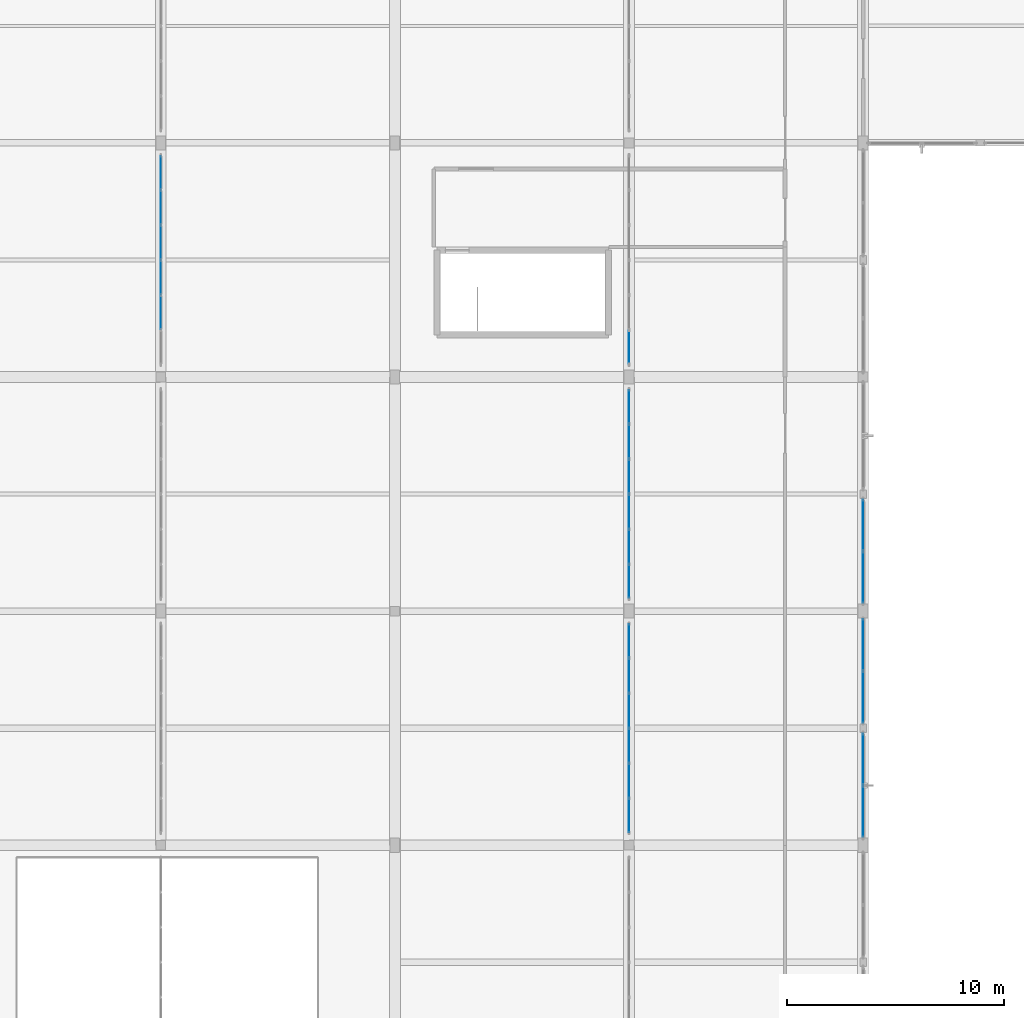
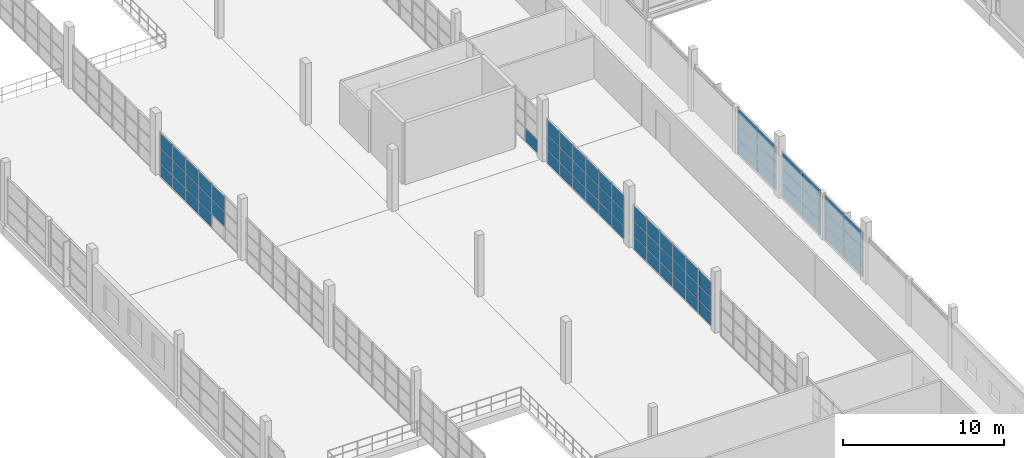
# One storey, part 84 of 142: 69 plates, 7 elements without a shape of their own.
"""IFC4 building model written with IfcOpenShell, lengths in metres."""

from ifc_helpers import new_model, si_unit, direction, frame, origin, origin_2d, place, context, subcontext, project, spatial, rectangle, extrude, material, layer, layer_set, type_object, element, aggregate, save


model = new_model("IFC4")

# Units and contexts
model_context = context("Model", 3, precision=1e-05, world=origin(), true_north=direction((0.0, 1.0)))
body_context = subcontext(model_context, "Body", "Model", "MODEL_VIEW")
ifc_project = project(units=[si_unit("LENGTHUNIT", "METRE"), si_unit("AREAUNIT", "SQUARE_METRE"), si_unit("VOLUMEUNIT", "CUBIC_METRE"), si_unit("PLANEANGLEUNIT", "RADIAN"), si_unit("MASSUNIT", "GRAM", prefix="KILO")], contexts=[model_context])

# Site, building, storey
site_placement = place(None, origin())
site = spatial("IfcSite", under=ifc_project, at=site_placement, CompositionType="ELEMENT")
building_placement = place(site_placement, origin())
building = spatial("IfcBuilding", under=site, at=building_placement, Name="Zwinboog Wholesale Market", CompositionType="ELEMENT")
storey_placement = place(building_placement, frame((0.0, 0.0, 5.39990234375)))
storey = spatial("IfcBuildingStorey", under=building, at=storey_placement, Name="L01", CompositionType="ELEMENT", Elevation=5.39990234375)

# Curtain wall, plates
ifc_material_1 = material(Name="Aluminium thermally broken curtain wall", Category="aluminium")
curtain_wall_type_1 = type_object("IfcCurtainWallType", Name="CWT-HALL-24", PredefinedType="USERDEFINED", material=ifc_material_1)
curtain_wall_1_placement = place(storey_placement, origin())
curtain_wall_1 = element("IfcCurtainWall", 1, at=curtain_wall_1_placement, inside=storey, type_object=curtain_wall_type_1, Name="CW-03 (CW-L01-075)", ObjectType="UNITIZED_CURTAIN_WALL", PredefinedType="USERDEFINED")
ifc_material_2 = material(Name="Double low-e insulated glazing", Category="glass")
ifc_layer_1 = layer(ifc_material_2, 0.031982421875)
ifc_layer_set_1 = layer_set([ifc_layer_1], Name="Double low-e insulated glazing")
plate_type_1 = type_object("IfcPlateType", Name="CWP-IGU-32", PredefinedType="CURTAIN_PANEL", material=ifc_layer_set_1)
plate_1_placement = place(storey_placement, frame((43.199951171875, 33.956298828125, 0.065185546875), z_axis=(0.0, 0.0, 1.0), x_axis=(0.0, 1.0, 0.0)))
plate_1 = element("IfcPlate", 2, at=plate_1_placement, type_object=plate_type_1, Name="CW-03 panel 1.1", PredefinedType="CURTAIN_PANEL", context=body_context, shape_type="SweptSolid", body=[
    extrude(rectangle(XDim=2.342529296875, YDim=0.031982421875, at=origin_2d()), origin(), (0.0, 0.0, 1.0), 1.00244140625),
])
plate_2_placement = place(storey_placement, frame((43.199951171875, 33.956298828125, 1.132568359375), z_axis=(0.0, 0.0, 1.0), x_axis=(0.0, 1.0, 0.0)))
plate_2 = element("IfcPlate", 3, at=plate_2_placement, type_object=plate_type_1, Name="CW-03 panel 1.2", PredefinedType="CURTAIN_PANEL", context=body_context, shape_type="SweptSolid", body=[
    extrude(rectangle(XDim=2.342529296875, YDim=0.031982421875, at=origin_2d()), origin(), (0.0, 0.0, 1.0), 1.0849609375),
])
plate_3_placement = place(storey_placement, frame((43.199951171875, 33.956298828125, 2.282470703125), z_axis=(0.0, 0.0, 1.0), x_axis=(0.0, 1.0, 0.0)))
plate_3 = element("IfcPlate", 4, at=plate_3_placement, type_object=plate_type_1, Name="CW-03 panel 1.3", PredefinedType="CURTAIN_PANEL", context=body_context, shape_type="SweptSolid", body=[
    extrude(rectangle(XDim=2.342529296875, YDim=0.031982421875, at=origin_2d()), origin(), (0.0, 0.0, 1.0), 1.1826171875),
])
plate_4_placement = place(storey_placement, frame((43.199951171875, 36.36376953125, 0.065185546875), z_axis=(0.0, 0.0, 1.0), x_axis=(0.0, 1.0, 0.0)))
plate_4 = element("IfcPlate", 5, at=plate_4_placement, type_object=plate_type_1, Name="CW-03 panel 2.1", PredefinedType="CURTAIN_PANEL", context=body_context, shape_type="SweptSolid", body=[
    extrude(rectangle(XDim=2.342529296875, YDim=0.031982421875, at=origin_2d()), origin(), (0.0, 0.0, 1.0), 1.00244140625),
])
plate_5_placement = place(storey_placement, frame((43.199951171875, 36.36376953125, 1.132568359375), z_axis=(0.0, 0.0, 1.0), x_axis=(0.0, 1.0, 0.0)))
plate_5 = element("IfcPlate", 6, at=plate_5_placement, type_object=plate_type_1, Name="CW-03 panel 2.2", PredefinedType="CURTAIN_PANEL", context=body_context, shape_type="SweptSolid", body=[
    extrude(rectangle(XDim=2.342529296875, YDim=0.031982421875, at=origin_2d()), origin(), (0.0, 0.0, 1.0), 1.0849609375),
])
plate_6_placement = place(storey_placement, frame((43.199951171875, 36.36376953125, 2.282470703125), z_axis=(0.0, 0.0, 1.0), x_axis=(0.0, 1.0, 0.0)))
plate_6 = element("IfcPlate", 7, at=plate_6_placement, type_object=plate_type_1, Name="CW-03 panel 2.3", PredefinedType="CURTAIN_PANEL", context=body_context, shape_type="SweptSolid", body=[
    extrude(rectangle(XDim=2.342529296875, YDim=0.031982421875, at=origin_2d()), origin(), (0.0, 0.0, 1.0), 1.1826171875),
])
aggregate(curtain_wall_1, [plate_1, plate_2, plate_3, plate_4, plate_5, plate_6])

curtain_wall_type_2 = type_object("IfcCurtainWallType", Name="CWT-GAL-16", PredefinedType="USERDEFINED", material=ifc_material_1)
curtain_wall_2_placement = place(storey_placement, origin())
curtain_wall_2 = element("IfcCurtainWall", 8, at=curtain_wall_2_placement, inside=storey, type_object=curtain_wall_type_2, Name="CW-04 (CW-L01-076)", ObjectType="UNITIZED_CURTAIN_WALL", PredefinedType="USERDEFINED")
plate_7_placement = place(storey_placement, frame((43.199951171875, 39.235107421875, 0.06005859375), z_axis=(0.0, 0.0, 1.0), x_axis=(0.0, 1.0, 0.0)))
plate_7 = element("IfcPlate", 9, at=plate_7_placement, type_object=plate_type_1, Name="CW-04 panel 1.1", PredefinedType="CURTAIN_PANEL", context=body_context, shape_type="SweptSolid", body=[
    extrude(rectangle(XDim=2.35009765625, YDim=0.031982421875, at=origin_2d()), origin(), (0.0, 0.0, 1.0), 1.010009765625),
])
plate_8_placement = place(storey_placement, frame((43.199951171875, 39.235107421875, 1.1298828125), z_axis=(0.0, 0.0, 1.0), x_axis=(0.0, 1.0, 0.0)))
plate_8 = element("IfcPlate", 10, at=plate_8_placement, type_object=plate_type_1, Name="CW-04 panel 1.2", PredefinedType="CURTAIN_PANEL", context=body_context, shape_type="SweptSolid", body=[
    extrude(rectangle(XDim=2.35009765625, YDim=0.031982421875, at=origin_2d()), origin(), (0.0, 0.0, 1.0), 1.090087890625),
])
plate_9_placement = place(storey_placement, frame((43.199951171875, 39.235107421875, 2.280029296875), z_axis=(0.0, 0.0, 1.0), x_axis=(0.0, 1.0, 0.0)))
plate_9 = element("IfcPlate", 11, at=plate_9_placement, type_object=plate_type_1, Name="CW-04 panel 1.3", PredefinedType="CURTAIN_PANEL", context=body_context, shape_type="SweptSolid", body=[
    extrude(rectangle(XDim=2.35009765625, YDim=0.031982421875, at=origin_2d()), origin(), (0.0, 0.0, 1.0), 1.18994140625),
])
plate_10_placement = place(storey_placement, frame((43.199951171875, 41.64501953125, 0.06005859375), z_axis=(0.0, 0.0, 1.0), x_axis=(0.0, 1.0, 0.0)))
plate_10 = element("IfcPlate", 12, at=plate_10_placement, type_object=plate_type_1, Name="CW-04 panel 2.1", PredefinedType="CURTAIN_PANEL", context=body_context, shape_type="SweptSolid", body=[
    extrude(rectangle(XDim=2.35009765625, YDim=0.031982421875, at=origin_2d()), origin(), (0.0, 0.0, 1.0), 1.010009765625),
])
plate_11_placement = place(storey_placement, frame((43.199951171875, 41.64501953125, 1.1298828125), z_axis=(0.0, 0.0, 1.0), x_axis=(0.0, 1.0, 0.0)))
plate_11 = element("IfcPlate", 13, at=plate_11_placement, type_object=plate_type_1, Name="CW-04 panel 2.2", PredefinedType="CURTAIN_PANEL", context=body_context, shape_type="SweptSolid", body=[
    extrude(rectangle(XDim=2.35009765625, YDim=0.031982421875, at=origin_2d()), origin(), (0.0, 0.0, 1.0), 1.090087890625),
])
plate_12_placement = place(storey_placement, frame((43.199951171875, 41.64501953125, 2.280029296875), z_axis=(0.0, 0.0, 1.0), x_axis=(0.0, 1.0, 0.0)))
plate_12 = element("IfcPlate", 14, at=plate_12_placement, type_object=plate_type_1, Name="CW-04 panel 2.3", PredefinedType="CURTAIN_PANEL", context=body_context, shape_type="SweptSolid", body=[
    extrude(rectangle(XDim=2.35009765625, YDim=0.031982421875, at=origin_2d()), origin(), (0.0, 0.0, 1.0), 1.18994140625),
])
aggregate(curtain_wall_2, [plate_7, plate_8, plate_9, plate_10, plate_11, plate_12])

curtain_wall_type_3 = type_object("IfcCurtainWallType", Name="CWT-CAFE-22", PredefinedType="USERDEFINED", material=ifc_material_1)
curtain_wall_3_placement = place(storey_placement, origin())
curtain_wall_3 = element("IfcCurtainWall", 15, at=curtain_wall_3_placement, inside=storey, type_object=curtain_wall_type_3, Name="CW-05 (CW-L01-077)", ObjectType="STOREFRONT_GLAZING", PredefinedType="USERDEFINED")
plate_13_placement = place(storey_placement, frame((43.199951171875, 44.75634765625, 0.065185546875), z_axis=(0.0, 0.0, 1.0), x_axis=(0.0, 1.0, 0.0)))
plate_13 = element("IfcPlate", 16, at=plate_13_placement, type_object=plate_type_1, Name="CW-05 panel 1.1", PredefinedType="CURTAIN_PANEL", context=body_context, shape_type="SweptSolid", body=[
    extrude(rectangle(XDim=2.342529296875, YDim=0.031982421875, at=origin_2d()), origin(), (0.0, 0.0, 1.0), 1.00244140625),
])
plate_14_placement = place(storey_placement, frame((43.199951171875, 44.75634765625, 1.132568359375), z_axis=(0.0, 0.0, 1.0), x_axis=(0.0, 1.0, 0.0)))
plate_14 = element("IfcPlate", 17, at=plate_14_placement, type_object=plate_type_1, Name="CW-05 panel 1.2", PredefinedType="CURTAIN_PANEL", context=body_context, shape_type="SweptSolid", body=[
    extrude(rectangle(XDim=2.342529296875, YDim=0.031982421875, at=origin_2d()), origin(), (0.0, 0.0, 1.0), 1.0849609375),
])
plate_15_placement = place(storey_placement, frame((43.199951171875, 44.75634765625, 2.282470703125), z_axis=(0.0, 0.0, 1.0), x_axis=(0.0, 1.0, 0.0)))
plate_15 = element("IfcPlate", 18, at=plate_15_placement, type_object=plate_type_1, Name="CW-05 panel 1.3", PredefinedType="CURTAIN_PANEL", context=body_context, shape_type="SweptSolid", body=[
    extrude(rectangle(XDim=2.342529296875, YDim=0.031982421875, at=origin_2d()), origin(), (0.0, 0.0, 1.0), 1.1826171875),
])
plate_16_placement = place(storey_placement, frame((43.199951171875, 47.163818359375, 0.065185546875), z_axis=(0.0, 0.0, 1.0), x_axis=(0.0, 1.0, 0.0)))
plate_16 = element("IfcPlate", 19, at=plate_16_placement, type_object=plate_type_1, Name="CW-05 panel 2.1", PredefinedType="CURTAIN_PANEL", context=body_context, shape_type="SweptSolid", body=[
    extrude(rectangle(XDim=2.342529296875, YDim=0.031982421875, at=origin_2d()), origin(), (0.0, 0.0, 1.0), 1.00244140625),
])
plate_17_placement = place(storey_placement, frame((43.199951171875, 47.163818359375, 1.132568359375), z_axis=(0.0, 0.0, 1.0), x_axis=(0.0, 1.0, 0.0)))
plate_17 = element("IfcPlate", 20, at=plate_17_placement, type_object=plate_type_1, Name="CW-05 panel 2.2", PredefinedType="CURTAIN_PANEL", context=body_context, shape_type="SweptSolid", body=[
    extrude(rectangle(XDim=2.342529296875, YDim=0.031982421875, at=origin_2d()), origin(), (0.0, 0.0, 1.0), 1.0849609375),
])
plate_18_placement = place(storey_placement, frame((43.199951171875, 47.163818359375, 2.282470703125), z_axis=(0.0, 0.0, 1.0), x_axis=(0.0, 1.0, 0.0)))
plate_18 = element("IfcPlate", 21, at=plate_18_placement, type_object=plate_type_1, Name="CW-05 panel 2.3", PredefinedType="CURTAIN_PANEL", context=body_context, shape_type="SweptSolid", body=[
    extrude(rectangle(XDim=2.342529296875, YDim=0.031982421875, at=origin_2d()), origin(), (0.0, 0.0, 1.0), 1.1826171875),
])
aggregate(curtain_wall_3, [plate_13, plate_14, plate_15, plate_16, plate_17, plate_18])

curtain_wall_type_4 = type_object("IfcCurtainWallType", Name="CWT-INT-STALL", PredefinedType="USERDEFINED", material=ifc_material_1)
curtain_wall_4_placement = place(storey_placement, origin())
curtain_wall_4 = element("IfcCurtainWall", 22, at=curtain_wall_4_placement, inside=storey, type_object=curtain_wall_type_4, Name="CW-07 (CW-STL-260)", ObjectType="STOREFRONT_GLAZING", PredefinedType="USERDEFINED")
ifc_material_3 = material(Name="Tempered laminated market stall glazing", Category="glass")
ifc_layer_2 = layer(ifc_material_3, 0.01611328125)
ifc_layer_set_2 = layer_set([ifc_layer_2], Name="Tempered laminated market stall glazing")
plate_type_2 = type_object("IfcPlateType", Name="CWP-INT-16", PredefinedType="CURTAIN_PANEL", material=ifc_layer_set_2)
plate_19_placement = place(storey_placement, frame((10.800048828125, 56.97509765625, 1.080078125), z_axis=(0.0, 0.0, 1.0), x_axis=(0.0, 1.0, 0.0)))
plate_19 = element("IfcPlate", 23, at=plate_19_placement, type_object=plate_type_2, Name="CW-07 panel 2.2", PredefinedType="CURTAIN_PANEL", context=body_context, shape_type="SweptSolid", body=[
    extrude(rectangle(XDim=1.556640625, YDim=0.01611328125, at=origin_2d()), origin(), (0.0, 0.0, 1.0), 1.090087890625),
])
plate_20_placement = place(storey_placement, frame((10.800048828125, 56.97509765625, 2.22998046875), z_axis=(0.0, 0.0, 1.0), x_axis=(0.0, 1.0, 0.0)))
plate_20 = element("IfcPlate", 24, at=plate_20_placement, type_object=plate_type_2, Name="CW-07 panel 2.3", PredefinedType="CURTAIN_PANEL", context=body_context, shape_type="SweptSolid", body=[
    extrude(rectangle(XDim=1.556640625, YDim=0.01611328125, at=origin_2d()), origin(), (0.0, 0.0, 1.0), 1.110107421875),
])
plate_21_placement = place(storey_placement, frame((10.800048828125, 58.591552734375, 0.06005859375), z_axis=(0.0, 0.0, 1.0), x_axis=(0.0, 1.0, 0.0)))
plate_21 = element("IfcPlate", 25, at=plate_21_placement, type_object=plate_type_2, Name="CW-07 panel 3.1", PredefinedType="CURTAIN_PANEL", context=body_context, shape_type="SweptSolid", body=[
    extrude(rectangle(XDim=1.556640625, YDim=0.01611328125, at=origin_2d()), origin(), (0.0, 0.0, 1.0), 0.9599609375),
])
plate_22_placement = place(storey_placement, frame((10.800048828125, 58.591552734375, 1.080078125), z_axis=(0.0, 0.0, 1.0), x_axis=(0.0, 1.0, 0.0)))
plate_22 = element("IfcPlate", 26, at=plate_22_placement, type_object=plate_type_2, Name="CW-07 panel 3.2", PredefinedType="CURTAIN_PANEL", context=body_context, shape_type="SweptSolid", body=[
    extrude(rectangle(XDim=1.556640625, YDim=0.01611328125, at=origin_2d()), origin(), (0.0, 0.0, 1.0), 1.090087890625),
])
plate_23_placement = place(storey_placement, frame((10.800048828125, 58.591552734375, 2.22998046875), z_axis=(0.0, 0.0, 1.0), x_axis=(0.0, 1.0, 0.0)))
plate_23 = element("IfcPlate", 27, at=plate_23_placement, type_object=plate_type_2, Name="CW-07 panel 3.3", PredefinedType="CURTAIN_PANEL", context=body_context, shape_type="SweptSolid", body=[
    extrude(rectangle(XDim=1.556640625, YDim=0.01611328125, at=origin_2d()), origin(), (0.0, 0.0, 1.0), 1.110107421875),
])
plate_24_placement = place(storey_placement, frame((10.800048828125, 60.208251953125, 0.06005859375), z_axis=(0.0, 0.0, 1.0), x_axis=(0.0, 1.0, 0.0)))
plate_24 = element("IfcPlate", 28, at=plate_24_placement, type_object=plate_type_2, Name="CW-07 panel 4.1", PredefinedType="CURTAIN_PANEL", context=body_context, shape_type="SweptSolid", body=[
    extrude(rectangle(XDim=1.556640625, YDim=0.01611328125, at=origin_2d()), origin(), (0.0, 0.0, 1.0), 0.9599609375),
])
plate_25_placement = place(storey_placement, frame((10.800048828125, 60.208251953125, 1.080078125), z_axis=(0.0, 0.0, 1.0), x_axis=(0.0, 1.0, 0.0)))
plate_25 = element("IfcPlate", 29, at=plate_25_placement, type_object=plate_type_2, Name="CW-07 panel 4.2", PredefinedType="CURTAIN_PANEL", context=body_context, shape_type="SweptSolid", body=[
    extrude(rectangle(XDim=1.556640625, YDim=0.01611328125, at=origin_2d()), origin(), (0.0, 0.0, 1.0), 1.090087890625),
])
plate_26_placement = place(storey_placement, frame((10.800048828125, 60.208251953125, 2.22998046875), z_axis=(0.0, 0.0, 1.0), x_axis=(0.0, 1.0, 0.0)))
plate_26 = element("IfcPlate", 30, at=plate_26_placement, type_object=plate_type_2, Name="CW-07 panel 4.3", PredefinedType="CURTAIN_PANEL", context=body_context, shape_type="SweptSolid", body=[
    extrude(rectangle(XDim=1.556640625, YDim=0.01611328125, at=origin_2d()), origin(), (0.0, 0.0, 1.0), 1.110107421875),
])
plate_27_placement = place(storey_placement, frame((10.800048828125, 61.824951171875, 0.06005859375), z_axis=(0.0, 0.0, 1.0), x_axis=(0.0, 1.0, 0.0)))
plate_27 = element("IfcPlate", 31, at=plate_27_placement, type_object=plate_type_2, Name="CW-07 panel 5.1", PredefinedType="CURTAIN_PANEL", context=body_context, shape_type="SweptSolid", body=[
    extrude(rectangle(XDim=1.556640625, YDim=0.01611328125, at=origin_2d()), origin(), (0.0, 0.0, 1.0), 0.9599609375),
])
plate_28_placement = place(storey_placement, frame((10.800048828125, 61.824951171875, 1.080078125), z_axis=(0.0, 0.0, 1.0), x_axis=(0.0, 1.0, 0.0)))
plate_28 = element("IfcPlate", 32, at=plate_28_placement, type_object=plate_type_2, Name="CW-07 panel 5.2", PredefinedType="CURTAIN_PANEL", context=body_context, shape_type="SweptSolid", body=[
    extrude(rectangle(XDim=1.556640625, YDim=0.01611328125, at=origin_2d()), origin(), (0.0, 0.0, 1.0), 1.090087890625),
])
plate_29_placement = place(storey_placement, frame((10.800048828125, 61.824951171875, 2.22998046875), z_axis=(0.0, 0.0, 1.0), x_axis=(0.0, 1.0, 0.0)))
plate_29 = element("IfcPlate", 33, at=plate_29_placement, type_object=plate_type_2, Name="CW-07 panel 5.3", PredefinedType="CURTAIN_PANEL", context=body_context, shape_type="SweptSolid", body=[
    extrude(rectangle(XDim=1.556640625, YDim=0.01611328125, at=origin_2d()), origin(), (0.0, 0.0, 1.0), 1.110107421875),
])
plate_30_placement = place(storey_placement, frame((10.800048828125, 63.4267578125, 0.06005859375), z_axis=(0.0, 0.0, 1.0), x_axis=(0.0, 1.0, 0.0)))
plate_30 = element("IfcPlate", 34, at=plate_30_placement, type_object=plate_type_2, Name="CW-07 panel 6.1", PredefinedType="CURTAIN_PANEL", context=body_context, shape_type="SweptSolid", body=[
    extrude(rectangle(XDim=1.526611328125, YDim=0.01611328125, at=origin_2d()), origin(), (0.0, 0.0, 1.0), 0.9599609375),
])
plate_31_placement = place(storey_placement, frame((10.800048828125, 63.4267578125, 1.080078125), z_axis=(0.0, 0.0, 1.0), x_axis=(0.0, 1.0, 0.0)))
plate_31 = element("IfcPlate", 35, at=plate_31_placement, type_object=plate_type_2, Name="CW-07 panel 6.2", PredefinedType="CURTAIN_PANEL", context=body_context, shape_type="SweptSolid", body=[
    extrude(rectangle(XDim=1.526611328125, YDim=0.01611328125, at=origin_2d()), origin(), (0.0, 0.0, 1.0), 1.090087890625),
])
plate_32_placement = place(storey_placement, frame((10.800048828125, 63.4267578125, 2.22998046875), z_axis=(0.0, 0.0, 1.0), x_axis=(0.0, 1.0, 0.0)))
plate_32 = element("IfcPlate", 36, at=plate_32_placement, type_object=plate_type_2, Name="CW-07 panel 6.3", PredefinedType="CURTAIN_PANEL", context=body_context, shape_type="SweptSolid", body=[
    extrude(rectangle(XDim=1.526611328125, YDim=0.01611328125, at=origin_2d()), origin(), (0.0, 0.0, 1.0), 1.110107421875),
])
aggregate(curtain_wall_4, [plate_19, plate_20, plate_21, plate_22, plate_23, plate_24, plate_25, plate_26, plate_27, plate_28, plate_29, plate_30, plate_31, plate_32])

curtain_wall_5_placement = place(storey_placement, origin())
curtain_wall_5 = element("IfcCurtainWall", 37, at=curtain_wall_5_placement, inside=storey, type_object=curtain_wall_type_4, Name="CW-07 (CW-STL-266)", ObjectType="STOREFRONT_GLAZING", PredefinedType="USERDEFINED")
plate_33_placement = place(storey_placement, frame((32.39990234375, 33.7734375, 0.06005859375), z_axis=(0.0, 0.0, 1.0), x_axis=(0.0, 1.0, 0.0)))
plate_33 = element("IfcPlate", 38, at=plate_33_placement, type_object=plate_type_2, Name="CW-07 panel 1.1", PredefinedType="CURTAIN_PANEL", context=body_context, shape_type="SweptSolid", body=[
    extrude(rectangle(XDim=1.526611328125, YDim=0.01611328125, at=origin_2d()), origin(), (0.0, 0.0, 1.0), 0.9599609375),
])
plate_34_placement = place(storey_placement, frame((32.39990234375, 33.7734375, 1.080078125), z_axis=(0.0, 0.0, 1.0), x_axis=(0.0, 1.0, 0.0)))
plate_34 = element("IfcPlate", 39, at=plate_34_placement, type_object=plate_type_2, Name="CW-07 panel 1.2", PredefinedType="CURTAIN_PANEL", context=body_context, shape_type="SweptSolid", body=[
    extrude(rectangle(XDim=1.526611328125, YDim=0.01611328125, at=origin_2d()), origin(), (0.0, 0.0, 1.0), 1.090087890625),
])
plate_35_placement = place(storey_placement, frame((32.39990234375, 33.7734375, 2.22998046875), z_axis=(0.0, 0.0, 1.0), x_axis=(0.0, 1.0, 0.0)))
plate_35 = element("IfcPlate", 40, at=plate_35_placement, type_object=plate_type_2, Name="CW-07 panel 1.3", PredefinedType="CURTAIN_PANEL", context=body_context, shape_type="SweptSolid", body=[
    extrude(rectangle(XDim=1.526611328125, YDim=0.01611328125, at=origin_2d()), origin(), (0.0, 0.0, 1.0), 1.110107421875),
])
plate_36_placement = place(storey_placement, frame((32.39990234375, 35.375, 0.06005859375), z_axis=(0.0, 0.0, 1.0), x_axis=(0.0, 1.0, 0.0)))
plate_36 = element("IfcPlate", 41, at=plate_36_placement, type_object=plate_type_2, Name="CW-07 panel 2.1", PredefinedType="CURTAIN_PANEL", context=body_context, shape_type="SweptSolid", body=[
    extrude(rectangle(XDim=1.556640625, YDim=0.01611328125, at=origin_2d()), origin(), (0.0, 0.0, 1.0), 0.9599609375),
])
plate_37_placement = place(storey_placement, frame((32.39990234375, 35.375, 1.080078125), z_axis=(0.0, 0.0, 1.0), x_axis=(0.0, 1.0, 0.0)))
plate_37 = element("IfcPlate", 42, at=plate_37_placement, type_object=plate_type_2, Name="CW-07 panel 2.2", PredefinedType="CURTAIN_PANEL", context=body_context, shape_type="SweptSolid", body=[
    extrude(rectangle(XDim=1.556640625, YDim=0.01611328125, at=origin_2d()), origin(), (0.0, 0.0, 1.0), 1.090087890625),
])
plate_38_placement = place(storey_placement, frame((32.39990234375, 35.375, 2.22998046875), z_axis=(0.0, 0.0, 1.0), x_axis=(0.0, 1.0, 0.0)))
plate_38 = element("IfcPlate", 43, at=plate_38_placement, type_object=plate_type_2, Name="CW-07 panel 2.3", PredefinedType="CURTAIN_PANEL", context=body_context, shape_type="SweptSolid", body=[
    extrude(rectangle(XDim=1.556640625, YDim=0.01611328125, at=origin_2d()), origin(), (0.0, 0.0, 1.0), 1.110107421875),
])
plate_39_placement = place(storey_placement, frame((32.39990234375, 36.99169921875, 0.06005859375), z_axis=(0.0, 0.0, 1.0), x_axis=(0.0, 1.0, 0.0)))
plate_39 = element("IfcPlate", 44, at=plate_39_placement, type_object=plate_type_2, Name="CW-07 panel 3.1", PredefinedType="CURTAIN_PANEL", context=body_context, shape_type="SweptSolid", body=[
    extrude(rectangle(XDim=1.556640625, YDim=0.01611328125, at=origin_2d()), origin(), (0.0, 0.0, 1.0), 0.9599609375),
])
plate_40_placement = place(storey_placement, frame((32.39990234375, 36.99169921875, 1.080078125), z_axis=(0.0, 0.0, 1.0), x_axis=(0.0, 1.0, 0.0)))
plate_40 = element("IfcPlate", 45, at=plate_40_placement, type_object=plate_type_2, Name="CW-07 panel 3.2", PredefinedType="CURTAIN_PANEL", context=body_context, shape_type="SweptSolid", body=[
    extrude(rectangle(XDim=1.556640625, YDim=0.01611328125, at=origin_2d()), origin(), (0.0, 0.0, 1.0), 1.090087890625),
])
plate_41_placement = place(storey_placement, frame((32.39990234375, 36.99169921875, 2.22998046875), z_axis=(0.0, 0.0, 1.0), x_axis=(0.0, 1.0, 0.0)))
plate_41 = element("IfcPlate", 46, at=plate_41_placement, type_object=plate_type_2, Name="CW-07 panel 3.3", PredefinedType="CURTAIN_PANEL", context=body_context, shape_type="SweptSolid", body=[
    extrude(rectangle(XDim=1.556640625, YDim=0.01611328125, at=origin_2d()), origin(), (0.0, 0.0, 1.0), 1.110107421875),
])
plate_42_placement = place(storey_placement, frame((32.39990234375, 38.6083984375, 0.06005859375), z_axis=(0.0, 0.0, 1.0), x_axis=(0.0, 1.0, 0.0)))
plate_42 = element("IfcPlate", 47, at=plate_42_placement, type_object=plate_type_2, Name="CW-07 panel 4.1", PredefinedType="CURTAIN_PANEL", context=body_context, shape_type="SweptSolid", body=[
    extrude(rectangle(XDim=1.556640625, YDim=0.01611328125, at=origin_2d()), origin(), (0.0, 0.0, 1.0), 0.9599609375),
])
plate_43_placement = place(storey_placement, frame((32.39990234375, 38.6083984375, 1.080078125), z_axis=(0.0, 0.0, 1.0), x_axis=(0.0, 1.0, 0.0)))
plate_43 = element("IfcPlate", 48, at=plate_43_placement, type_object=plate_type_2, Name="CW-07 panel 4.2", PredefinedType="CURTAIN_PANEL", context=body_context, shape_type="SweptSolid", body=[
    extrude(rectangle(XDim=1.556640625, YDim=0.01611328125, at=origin_2d()), origin(), (0.0, 0.0, 1.0), 1.090087890625),
])
plate_44_placement = place(storey_placement, frame((32.39990234375, 38.6083984375, 2.22998046875), z_axis=(0.0, 0.0, 1.0), x_axis=(0.0, 1.0, 0.0)))
plate_44 = element("IfcPlate", 49, at=plate_44_placement, type_object=plate_type_2, Name="CW-07 panel 4.3", PredefinedType="CURTAIN_PANEL", context=body_context, shape_type="SweptSolid", body=[
    extrude(rectangle(XDim=1.556640625, YDim=0.01611328125, at=origin_2d()), origin(), (0.0, 0.0, 1.0), 1.110107421875),
])
plate_45_placement = place(storey_placement, frame((32.39990234375, 40.22509765625, 0.06005859375), z_axis=(0.0, 0.0, 1.0), x_axis=(0.0, 1.0, 0.0)))
plate_45 = element("IfcPlate", 50, at=plate_45_placement, type_object=plate_type_2, Name="CW-07 panel 5.1", PredefinedType="CURTAIN_PANEL", context=body_context, shape_type="SweptSolid", body=[
    extrude(rectangle(XDim=1.556640625, YDim=0.01611328125, at=origin_2d()), origin(), (0.0, 0.0, 1.0), 0.9599609375),
])
plate_46_placement = place(storey_placement, frame((32.39990234375, 40.22509765625, 1.080078125), z_axis=(0.0, 0.0, 1.0), x_axis=(0.0, 1.0, 0.0)))
plate_46 = element("IfcPlate", 51, at=plate_46_placement, type_object=plate_type_2, Name="CW-07 panel 5.2", PredefinedType="CURTAIN_PANEL", context=body_context, shape_type="SweptSolid", body=[
    extrude(rectangle(XDim=1.556640625, YDim=0.01611328125, at=origin_2d()), origin(), (0.0, 0.0, 1.0), 1.090087890625),
])
plate_47_placement = place(storey_placement, frame((32.39990234375, 40.22509765625, 2.22998046875), z_axis=(0.0, 0.0, 1.0), x_axis=(0.0, 1.0, 0.0)))
plate_47 = element("IfcPlate", 52, at=plate_47_placement, type_object=plate_type_2, Name="CW-07 panel 5.3", PredefinedType="CURTAIN_PANEL", context=body_context, shape_type="SweptSolid", body=[
    extrude(rectangle(XDim=1.556640625, YDim=0.01611328125, at=origin_2d()), origin(), (0.0, 0.0, 1.0), 1.110107421875),
])
plate_48_placement = place(storey_placement, frame((32.39990234375, 41.82666015625, 0.06005859375), z_axis=(0.0, 0.0, 1.0), x_axis=(0.0, 1.0, 0.0)))
plate_48 = element("IfcPlate", 53, at=plate_48_placement, type_object=plate_type_2, Name="CW-07 panel 6.1", PredefinedType="CURTAIN_PANEL", context=body_context, shape_type="SweptSolid", body=[
    extrude(rectangle(XDim=1.526611328125, YDim=0.01611328125, at=origin_2d()), origin(), (0.0, 0.0, 1.0), 0.9599609375),
])
plate_49_placement = place(storey_placement, frame((32.39990234375, 41.82666015625, 1.080078125), z_axis=(0.0, 0.0, 1.0), x_axis=(0.0, 1.0, 0.0)))
plate_49 = element("IfcPlate", 54, at=plate_49_placement, type_object=plate_type_2, Name="CW-07 panel 6.2", PredefinedType="CURTAIN_PANEL", context=body_context, shape_type="SweptSolid", body=[
    extrude(rectangle(XDim=1.526611328125, YDim=0.01611328125, at=origin_2d()), origin(), (0.0, 0.0, 1.0), 1.090087890625),
])
plate_50_placement = place(storey_placement, frame((32.39990234375, 41.82666015625, 2.22998046875), z_axis=(0.0, 0.0, 1.0), x_axis=(0.0, 1.0, 0.0)))
plate_50 = element("IfcPlate", 55, at=plate_50_placement, type_object=plate_type_2, Name="CW-07 panel 6.3", PredefinedType="CURTAIN_PANEL", context=body_context, shape_type="SweptSolid", body=[
    extrude(rectangle(XDim=1.526611328125, YDim=0.01611328125, at=origin_2d()), origin(), (0.0, 0.0, 1.0), 1.110107421875),
])
aggregate(curtain_wall_5, [plate_33, plate_34, plate_35, plate_36, plate_37, plate_38, plate_39, plate_40, plate_41, plate_42, plate_43, plate_44, plate_45, plate_46, plate_47, plate_48, plate_49, plate_50])

curtain_wall_6_placement = place(storey_placement, origin())
curtain_wall_6 = element("IfcCurtainWall", 56, at=curtain_wall_6_placement, inside=storey, type_object=curtain_wall_type_4, Name="CW-07 (CW-STL-267)", ObjectType="STOREFRONT_GLAZING", PredefinedType="USERDEFINED")
plate_51_placement = place(storey_placement, frame((32.39990234375, 44.5732421875, 0.06005859375), z_axis=(0.0, 0.0, 1.0), x_axis=(0.0, 1.0, 0.0)))
plate_51 = element("IfcPlate", 57, at=plate_51_placement, type_object=plate_type_2, Name="CW-07 panel 1.1", PredefinedType="CURTAIN_PANEL", context=body_context, shape_type="SweptSolid", body=[
    extrude(rectangle(XDim=1.526611328125, YDim=0.01611328125, at=origin_2d()), origin(), (0.0, 0.0, 1.0), 0.9599609375),
])
plate_52_placement = place(storey_placement, frame((32.39990234375, 44.5732421875, 1.080078125), z_axis=(0.0, 0.0, 1.0), x_axis=(0.0, 1.0, 0.0)))
plate_52 = element("IfcPlate", 58, at=plate_52_placement, type_object=plate_type_2, Name="CW-07 panel 1.2", PredefinedType="CURTAIN_PANEL", context=body_context, shape_type="SweptSolid", body=[
    extrude(rectangle(XDim=1.526611328125, YDim=0.01611328125, at=origin_2d()), origin(), (0.0, 0.0, 1.0), 1.090087890625),
])
plate_53_placement = place(storey_placement, frame((32.39990234375, 44.5732421875, 2.22998046875), z_axis=(0.0, 0.0, 1.0), x_axis=(0.0, 1.0, 0.0)))
plate_53 = element("IfcPlate", 59, at=plate_53_placement, type_object=plate_type_2, Name="CW-07 panel 1.3", PredefinedType="CURTAIN_PANEL", context=body_context, shape_type="SweptSolid", body=[
    extrude(rectangle(XDim=1.526611328125, YDim=0.01611328125, at=origin_2d()), origin(), (0.0, 0.0, 1.0), 1.110107421875),
])
plate_54_placement = place(storey_placement, frame((32.39990234375, 46.175048828125, 0.06005859375), z_axis=(0.0, 0.0, 1.0), x_axis=(0.0, 1.0, 0.0)))
plate_54 = element("IfcPlate", 60, at=plate_54_placement, type_object=plate_type_2, Name="CW-07 panel 2.1", PredefinedType="CURTAIN_PANEL", context=body_context, shape_type="SweptSolid", body=[
    extrude(rectangle(XDim=1.556640625, YDim=0.01611328125, at=origin_2d()), origin(), (0.0, 0.0, 1.0), 0.9599609375),
])
plate_55_placement = place(storey_placement, frame((32.39990234375, 46.175048828125, 1.080078125), z_axis=(0.0, 0.0, 1.0), x_axis=(0.0, 1.0, 0.0)))
plate_55 = element("IfcPlate", 61, at=plate_55_placement, type_object=plate_type_2, Name="CW-07 panel 2.2", PredefinedType="CURTAIN_PANEL", context=body_context, shape_type="SweptSolid", body=[
    extrude(rectangle(XDim=1.556640625, YDim=0.01611328125, at=origin_2d()), origin(), (0.0, 0.0, 1.0), 1.090087890625),
])
plate_56_placement = place(storey_placement, frame((32.39990234375, 46.175048828125, 2.22998046875), z_axis=(0.0, 0.0, 1.0), x_axis=(0.0, 1.0, 0.0)))
plate_56 = element("IfcPlate", 62, at=plate_56_placement, type_object=plate_type_2, Name="CW-07 panel 2.3", PredefinedType="CURTAIN_PANEL", context=body_context, shape_type="SweptSolid", body=[
    extrude(rectangle(XDim=1.556640625, YDim=0.01611328125, at=origin_2d()), origin(), (0.0, 0.0, 1.0), 1.110107421875),
])
plate_57_placement = place(storey_placement, frame((32.39990234375, 47.791748046875, 0.06005859375), z_axis=(0.0, 0.0, 1.0), x_axis=(0.0, 1.0, 0.0)))
plate_57 = element("IfcPlate", 63, at=plate_57_placement, type_object=plate_type_2, Name="CW-07 panel 3.1", PredefinedType="CURTAIN_PANEL", context=body_context, shape_type="SweptSolid", body=[
    extrude(rectangle(XDim=1.556640625, YDim=0.01611328125, at=origin_2d()), origin(), (0.0, 0.0, 1.0), 0.9599609375),
])
plate_58_placement = place(storey_placement, frame((32.39990234375, 47.791748046875, 1.080078125), z_axis=(0.0, 0.0, 1.0), x_axis=(0.0, 1.0, 0.0)))
plate_58 = element("IfcPlate", 64, at=plate_58_placement, type_object=plate_type_2, Name="CW-07 panel 3.2", PredefinedType="CURTAIN_PANEL", context=body_context, shape_type="SweptSolid", body=[
    extrude(rectangle(XDim=1.556640625, YDim=0.01611328125, at=origin_2d()), origin(), (0.0, 0.0, 1.0), 1.090087890625),
])
plate_59_placement = place(storey_placement, frame((32.39990234375, 47.791748046875, 2.22998046875), z_axis=(0.0, 0.0, 1.0), x_axis=(0.0, 1.0, 0.0)))
plate_59 = element("IfcPlate", 65, at=plate_59_placement, type_object=plate_type_2, Name="CW-07 panel 3.3", PredefinedType="CURTAIN_PANEL", context=body_context, shape_type="SweptSolid", body=[
    extrude(rectangle(XDim=1.556640625, YDim=0.01611328125, at=origin_2d()), origin(), (0.0, 0.0, 1.0), 1.110107421875),
])
plate_60_placement = place(storey_placement, frame((32.39990234375, 49.408447265625, 0.06005859375), z_axis=(0.0, 0.0, 1.0), x_axis=(0.0, 1.0, 0.0)))
plate_60 = element("IfcPlate", 66, at=plate_60_placement, type_object=plate_type_2, Name="CW-07 panel 4.1", PredefinedType="CURTAIN_PANEL", context=body_context, shape_type="SweptSolid", body=[
    extrude(rectangle(XDim=1.556640625, YDim=0.01611328125, at=origin_2d()), origin(), (0.0, 0.0, 1.0), 0.9599609375),
])
plate_61_placement = place(storey_placement, frame((32.39990234375, 49.408447265625, 1.080078125), z_axis=(0.0, 0.0, 1.0), x_axis=(0.0, 1.0, 0.0)))
plate_61 = element("IfcPlate", 67, at=plate_61_placement, type_object=plate_type_2, Name="CW-07 panel 4.2", PredefinedType="CURTAIN_PANEL", context=body_context, shape_type="SweptSolid", body=[
    extrude(rectangle(XDim=1.556640625, YDim=0.01611328125, at=origin_2d()), origin(), (0.0, 0.0, 1.0), 1.090087890625),
])
plate_62_placement = place(storey_placement, frame((32.39990234375, 49.408447265625, 2.22998046875), z_axis=(0.0, 0.0, 1.0), x_axis=(0.0, 1.0, 0.0)))
plate_62 = element("IfcPlate", 68, at=plate_62_placement, type_object=plate_type_2, Name="CW-07 panel 4.3", PredefinedType="CURTAIN_PANEL", context=body_context, shape_type="SweptSolid", body=[
    extrude(rectangle(XDim=1.556640625, YDim=0.01611328125, at=origin_2d()), origin(), (0.0, 0.0, 1.0), 1.110107421875),
])
plate_63_placement = place(storey_placement, frame((32.39990234375, 51.02490234375, 0.06005859375), z_axis=(0.0, 0.0, 1.0), x_axis=(0.0, 1.0, 0.0)))
plate_63 = element("IfcPlate", 69, at=plate_63_placement, type_object=plate_type_2, Name="CW-07 panel 5.1", PredefinedType="CURTAIN_PANEL", context=body_context, shape_type="SweptSolid", body=[
    extrude(rectangle(XDim=1.556640625, YDim=0.01611328125, at=origin_2d()), origin(), (0.0, 0.0, 1.0), 0.9599609375),
])
plate_64_placement = place(storey_placement, frame((32.39990234375, 51.02490234375, 1.080078125), z_axis=(0.0, 0.0, 1.0), x_axis=(0.0, 1.0, 0.0)))
plate_64 = element("IfcPlate", 70, at=plate_64_placement, type_object=plate_type_2, Name="CW-07 panel 5.2", PredefinedType="CURTAIN_PANEL", context=body_context, shape_type="SweptSolid", body=[
    extrude(rectangle(XDim=1.556640625, YDim=0.01611328125, at=origin_2d()), origin(), (0.0, 0.0, 1.0), 1.090087890625),
])
plate_65_placement = place(storey_placement, frame((32.39990234375, 51.02490234375, 2.22998046875), z_axis=(0.0, 0.0, 1.0), x_axis=(0.0, 1.0, 0.0)))
plate_65 = element("IfcPlate", 71, at=plate_65_placement, type_object=plate_type_2, Name="CW-07 panel 5.3", PredefinedType="CURTAIN_PANEL", context=body_context, shape_type="SweptSolid", body=[
    extrude(rectangle(XDim=1.556640625, YDim=0.01611328125, at=origin_2d()), origin(), (0.0, 0.0, 1.0), 1.110107421875),
])
plate_66_placement = place(storey_placement, frame((32.39990234375, 52.626708984375, 0.06005859375), z_axis=(0.0, 0.0, 1.0), x_axis=(0.0, 1.0, 0.0)))
plate_66 = element("IfcPlate", 72, at=plate_66_placement, type_object=plate_type_2, Name="CW-07 panel 6.1", PredefinedType="CURTAIN_PANEL", context=body_context, shape_type="SweptSolid", body=[
    extrude(rectangle(XDim=1.526611328125, YDim=0.01611328125, at=origin_2d()), origin(), (0.0, 0.0, 1.0), 0.9599609375),
])
plate_67_placement = place(storey_placement, frame((32.39990234375, 52.626708984375, 1.080078125), z_axis=(0.0, 0.0, 1.0), x_axis=(0.0, 1.0, 0.0)))
plate_67 = element("IfcPlate", 73, at=plate_67_placement, type_object=plate_type_2, Name="CW-07 panel 6.2", PredefinedType="CURTAIN_PANEL", context=body_context, shape_type="SweptSolid", body=[
    extrude(rectangle(XDim=1.526611328125, YDim=0.01611328125, at=origin_2d()), origin(), (0.0, 0.0, 1.0), 1.090087890625),
])
plate_68_placement = place(storey_placement, frame((32.39990234375, 52.626708984375, 2.22998046875), z_axis=(0.0, 0.0, 1.0), x_axis=(0.0, 1.0, 0.0)))
plate_68 = element("IfcPlate", 74, at=plate_68_placement, type_object=plate_type_2, Name="CW-07 panel 6.3", PredefinedType="CURTAIN_PANEL", context=body_context, shape_type="SweptSolid", body=[
    extrude(rectangle(XDim=1.526611328125, YDim=0.01611328125, at=origin_2d()), origin(), (0.0, 0.0, 1.0), 1.110107421875),
])
aggregate(curtain_wall_6, [plate_51, plate_52, plate_53, plate_54, plate_55, plate_56, plate_57, plate_58, plate_59, plate_60, plate_61, plate_62, plate_63, plate_64, plate_65, plate_66, plate_67, plate_68])

# Curtain wall, plate
curtain_wall_7_placement = place(storey_placement, origin())
curtain_wall_7 = element("IfcCurtainWall", 75, at=curtain_wall_7_placement, inside=storey, type_object=curtain_wall_type_4, Name="CW-07 (CW-STL-268)", ObjectType="STOREFRONT_GLAZING", PredefinedType="USERDEFINED")
plate_69_placement = place(storey_placement, frame((32.39990234375, 55.373291015625, 0.06005859375), z_axis=(0.0, 0.0, 1.0), x_axis=(0.0, 1.0, 0.0)))
plate_69 = element("IfcPlate", 76, at=plate_69_placement, type_object=plate_type_2, Name="CW-07 panel 1.1", PredefinedType="CURTAIN_PANEL", context=body_context, shape_type="SweptSolid", body=[
    extrude(rectangle(XDim=1.526611328125, YDim=0.01611328125, at=origin_2d()), origin(), (0.0, 0.0, 1.0), 0.9599609375),
])
aggregate(curtain_wall_7, [plate_69])

save(model, "model.ifc")
